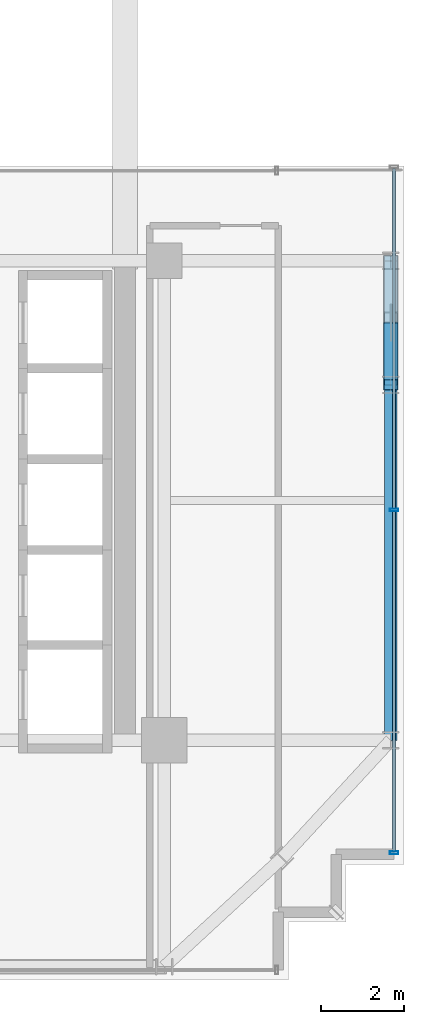
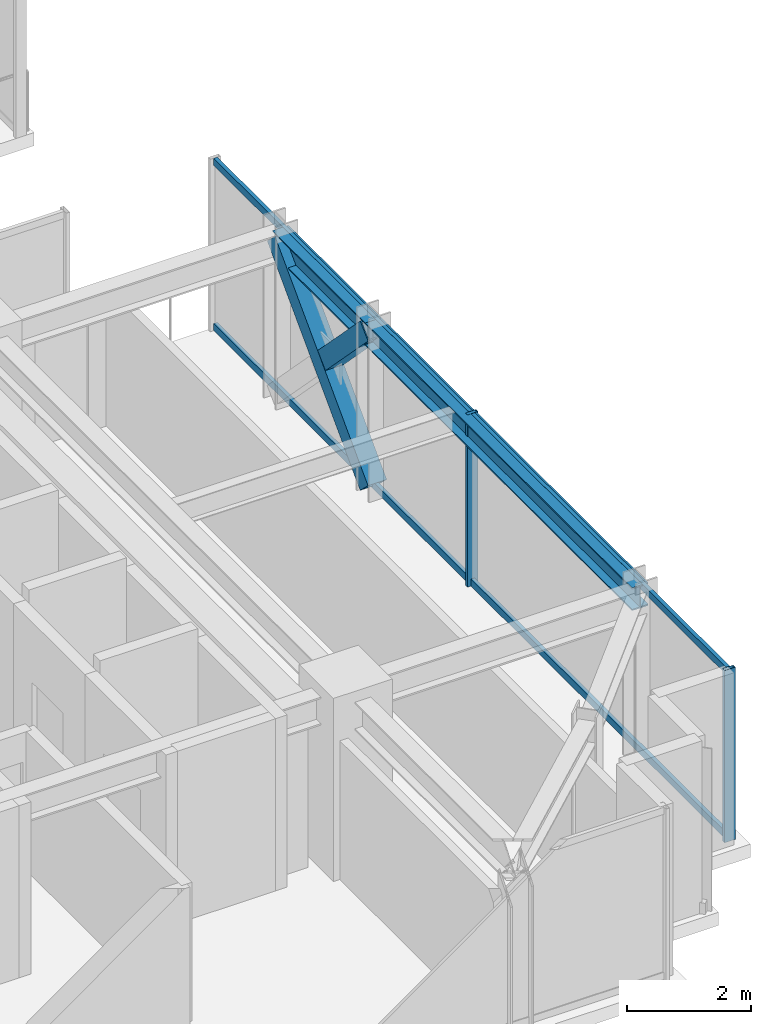
# One storey, part 16 of 43: 8 members, 2 beams, 1 element without a shape of its own.
"""IFC4 building model written with IfcOpenShell, lengths in metres."""

from ifc_helpers import new_model, si_unit, direction, frame, origin, origin_2d, place, context, subcontext, project, spatial, hollow_rectangle, i_section, extrude, source, transform, mapped, material, material_profile, profile_set, type_object, element, aggregate, save


model = new_model("IFC4")

# Units and contexts
model_context = context("Model", 3, precision=1e-05, world=origin(), true_north=direction((0.0, 1.0)))
body_context = subcontext(model_context, "Body", "Model", "MODEL_VIEW")
ifc_project = project(units=[si_unit("LENGTHUNIT", "METRE"), si_unit("AREAUNIT", "SQUARE_METRE"), si_unit("VOLUMEUNIT", "CUBIC_METRE"), si_unit("PLANEANGLEUNIT", "RADIAN"), si_unit("MASSUNIT", "GRAM", prefix="KILO")], contexts=[model_context])

# Site, building, storey
site_placement = place(None, origin())
site = spatial("IfcSite", under=ifc_project, at=site_placement, CompositionType="ELEMENT")
building_placement = place(site_placement, origin())
building = spatial("IfcBuilding", under=site, at=building_placement, Name="Nahalor Promenade Grand Hotel", CompositionType="ELEMENT")
storey_placement = place(building_placement, frame((0.0, 0.0, 181.85009765625)))
storey = spatial("IfcBuildingStorey", under=building, at=storey_placement, Name="L46", CompositionType="ELEMENT", Elevation=181.85009765625)

# Beams
ifc_material_1 = material(Name="Steel S355JR", Category="steel")
ifc_material_profile_1 = material_profile(ifc_material_1, i_section(OverallWidth=0.3, OverallDepth=0.45, WebThickness=0.014, FlangeThickness=0.026, at=origin_2d()), Name="HEB 450")
ifc_profile_set_1 = profile_set([ifc_material_profile_1], Name="Steel S355JR")
beam_type = type_object("IfcBeamType", Name="Beam-Spandrel-HEB450", PredefinedType="SPANDREL", material=ifc_profile_set_1)
shared_shape_1 = source(origin(), body_context, "Body", "SweptSolid", [
    extrude(i_section(OverallWidth=0.3, OverallDepth=0.45, WebThickness=0.014, FlangeThickness=0.026, at=origin_2d()), origin(), (0.0, 0.0, 1.0), 8.60009765625),
])
beam_1_placement = place(storey_placement, frame((22.47998046875, -17.0, 3.164794921875), z_axis=(0.0, 1.0, 0.0), x_axis=(-1.0, 0.0, 0.0)))
element("IfcBeam", 1, at=beam_1_placement, inside=storey, type_object=beam_type, Name="BM-L46-SP-E-0", PredefinedType="SPANDREL", context=body_context, shape_type="MappedRepresentation", body=[
    mapped(shared_shape_1, transform((0.0, 0.0, 0.0), scale=1.0)),
])
shared_shape_2 = source(origin(), body_context, "Body", "SweptSolid", [
    extrude(i_section(OverallWidth=0.3, OverallDepth=0.45, WebThickness=0.014, FlangeThickness=0.026, at=origin_2d()), origin(), (0.0, 0.0, 1.0), 3.0),
])
beam_2_placement = place(storey_placement, frame((22.47998046875, -8.39990234375, 3.164794921875), z_axis=(0.0, 1.0, 0.0), x_axis=(-1.0, 0.0, 0.0)))
element("IfcBeam", 2, at=beam_2_placement, inside=storey, type_object=beam_type, Name="BM-L46-SP-E-1", PredefinedType="SPANDREL", context=body_context, shape_type="MappedRepresentation", body=[
    mapped(shared_shape_2, transform((0.0, 0.0, 0.0), scale=1.0)),
])

# Members
ifc_material_profile_2 = material_profile(ifc_material_1, hollow_rectangle(XDim=0.35, YDim=0.35, WallThickness=0.02, at=origin_2d()), Name="SHS 350x350x20")
ifc_profile_set_2 = profile_set([ifc_material_profile_2], Name="Steel S355JR")
member_type_1 = type_object("IfcMemberType", Name="Mem-VoidBrace-SHS350", PredefinedType="BRACE", material=ifc_profile_set_2)
shared_shape_3 = source(origin(), body_context, "Body", "SweptSolid", [
    extrude(hollow_rectangle(XDim=0.35, YDim=0.35, WallThickness=0.02, at=origin_2d()), origin(), (0.0, 0.0, 1.0), 1.96630859375),
])
member_1_placement = place(storey_placement, frame((22.47998046875, -7.0302734375, 1.8291015625), z_axis=(0.0, -0.696537426897, 0.717520461682), x_axis=(1.0, 0.0, 0.0)))
element("IfcMember", 3, at=member_1_placement, inside=storey, type_object=member_type_1, Name="EXO-L46-VX2-E0B", PredefinedType="BRACE", context=body_context, shape_type="MappedRepresentation", body=[
    mapped(shared_shape_3, transform((0.0, 0.0, 0.0), scale=1.0)),
])
shared_shape_4 = source(origin(), body_context, "Body", "SweptSolid", [
    extrude(hollow_rectangle(XDim=0.35, YDim=0.35, WallThickness=0.02, at=origin_2d()), origin(), (0.0, 0.0, 1.0), 4.306884765625),
])
member_2_placement = place(storey_placement, frame((22.47998046875, -8.39990234375, 0.14990234375), z_axis=(0.0, 0.696570665899, 0.717488193219), x_axis=(-1.0, 0.0, 0.0)))
element("IfcMember", 4, at=member_2_placement, inside=storey, type_object=member_type_1, Name="EXO-L46-VX1-E0", PredefinedType="BRACE", context=body_context, shape_type="MappedRepresentation", body=[
    mapped(shared_shape_4, transform((0.0, 0.0, 0.0), scale=1.0)),
])

# Curtain wall, members
ifc_material_2 = material(Name="Anodised Bronze Aluminium EN AW-6063 T6", Category="aluminium")
curtain_wall_type = type_object("IfcCurtainWallType", Name="CW3 Elliptical-Void Collar Unitised Curtain Wall", PredefinedType="USERDEFINED", material=ifc_material_2)
curtain_wall_placement = place(storey_placement, origin())
curtain_wall = element("IfcCurtainWall", 5, at=curtain_wall_placement, inside=storey, type_object=curtain_wall_type, Name="L46 Curtain Wall CW-L46-E-1", ObjectType="UNITISED_CURTAIN_WALL", PredefinedType="USERDEFINED")
ifc_material_profile_3 = material_profile(ifc_material_2, hollow_rectangle(XDim=0.07, YDim=0.2, WallThickness=0.005, at=origin_2d()), Name="CWM 70x200x5")
ifc_profile_set_3 = profile_set([ifc_material_profile_3], Name="Anodised Bronze Aluminium EN AW-6063 T6")
member_type_2 = type_object("IfcMemberType", Name="CWM3 Void Collar Mullion 70x200", PredefinedType="MULLION", material=ifc_profile_set_3)
shared_shape_5 = source(origin(), body_context, "Body", "SweptSolid", [
    extrude(hollow_rectangle(XDim=0.07, YDim=0.2, WallThickness=0.005, at=origin_2d()), origin(), (0.0, 0.0, 1.0), 3.389892578125),
])
member_3_placement = place(storey_placement, frame((22.56005859375, -19.72509765625, 0.0), z_axis=(0.0, 0.0, 1.0), x_axis=(0.0, 1.0, 0.0)))
member_3 = element("IfcMember", 6, at=member_3_placement, type_object=member_type_2, Name="CW-L46-E-1 Mullion 0", PredefinedType="MULLION", context=body_context, shape_type="MappedRepresentation", body=[
    mapped(shared_shape_5, transform((0.0, 0.0, 0.0), scale=1.0)),
])
member_4_placement = place(storey_placement, frame((22.56005859375, -11.429931640625, 0.0), z_axis=(0.0, 0.0, 1.0), x_axis=(0.0, 1.0, 0.0)))
member_4 = element("IfcMember", 7, at=member_4_placement, type_object=member_type_2, Name="CW-L46-E-1 Mullion 1", PredefinedType="MULLION", context=body_context, shape_type="MappedRepresentation", body=[
    mapped(shared_shape_5, transform((0.0, 0.0, 0.0), scale=1.0)),
])
ifc_material_profile_4 = material_profile(ifc_material_2, hollow_rectangle(XDim=0.07, YDim=0.14, WallThickness=0.004, at=origin_2d()), Name="CWT 70x140x4")
ifc_profile_set_4 = profile_set([ifc_material_profile_4], Name="Anodised Bronze Aluminium EN AW-6063 T6")
member_type_3 = type_object("IfcMemberType", Name="CWT3 Void Collar Transom 70x140", PredefinedType="USERDEFINED", material=ifc_profile_set_4)
shared_shape_6 = source(origin(), body_context, "Body", "SweptSolid", [
    extrude(hollow_rectangle(XDim=0.07, YDim=0.14, WallThickness=0.004, at=origin_2d()), origin(), (0.0, 0.0, 1.0), 8.224853515625),
])
member_5_placement = place(storey_placement, frame((22.56005859375, -19.68994140625, 0.06982421875), z_axis=(0.0, 1.0, 0.0), x_axis=(-1.0, 0.0, 0.0)))
member_5 = element("IfcMember", 8, at=member_5_placement, type_object=member_type_3, Name="CW-L46-E-1 Transom 0-0", ObjectType="TRANSOM", PredefinedType="USERDEFINED", context=body_context, shape_type="MappedRepresentation", body=[
    mapped(shared_shape_6, transform((0.0, 0.0, 0.0), scale=1.0)),
])
member_6_placement = place(storey_placement, frame((22.56005859375, -19.68994140625, 3.31982421875), z_axis=(0.0, 1.0, 0.0), x_axis=(-1.0, 0.0, 0.0)))
member_6 = element("IfcMember", 9, at=member_6_placement, type_object=member_type_3, Name="CW-L46-E-1 Transom 0-1", ObjectType="TRANSOM", PredefinedType="USERDEFINED", context=body_context, shape_type="MappedRepresentation", body=[
    mapped(shared_shape_6, transform((0.0, 0.0, 0.0), scale=1.0)),
])
shared_shape_7 = source(origin(), body_context, "Body", "SweptSolid", [
    extrude(hollow_rectangle(XDim=0.07, YDim=0.14, WallThickness=0.004, at=origin_2d()), origin(), (0.0, 0.0, 1.0), 8.22509765625),
])
member_7_placement = place(storey_placement, frame((22.56005859375, -11.39501953125, 0.06982421875), z_axis=(0.0, 1.0, 0.0), x_axis=(-1.0, 0.0, 0.0)))
member_7 = element("IfcMember", 10, at=member_7_placement, type_object=member_type_3, Name="CW-L46-E-1 Transom 1-0", ObjectType="TRANSOM", PredefinedType="USERDEFINED", context=body_context, shape_type="MappedRepresentation", body=[
    mapped(shared_shape_7, transform((0.0, 0.0, 0.0), scale=1.0)),
])
member_8_placement = place(storey_placement, frame((22.56005859375, -11.39501953125, 3.31982421875), z_axis=(0.0, 1.0, 0.0), x_axis=(-1.0, 0.0, 0.0)))
member_8 = element("IfcMember", 11, at=member_8_placement, type_object=member_type_3, Name="CW-L46-E-1 Transom 1-1", ObjectType="TRANSOM", PredefinedType="USERDEFINED", context=body_context, shape_type="MappedRepresentation", body=[
    mapped(shared_shape_7, transform((0.0, 0.0, 0.0), scale=1.0)),
])
aggregate(curtain_wall, [member_3, member_4, member_5, member_6, member_7, member_8])

save(model, "model.ifc")
